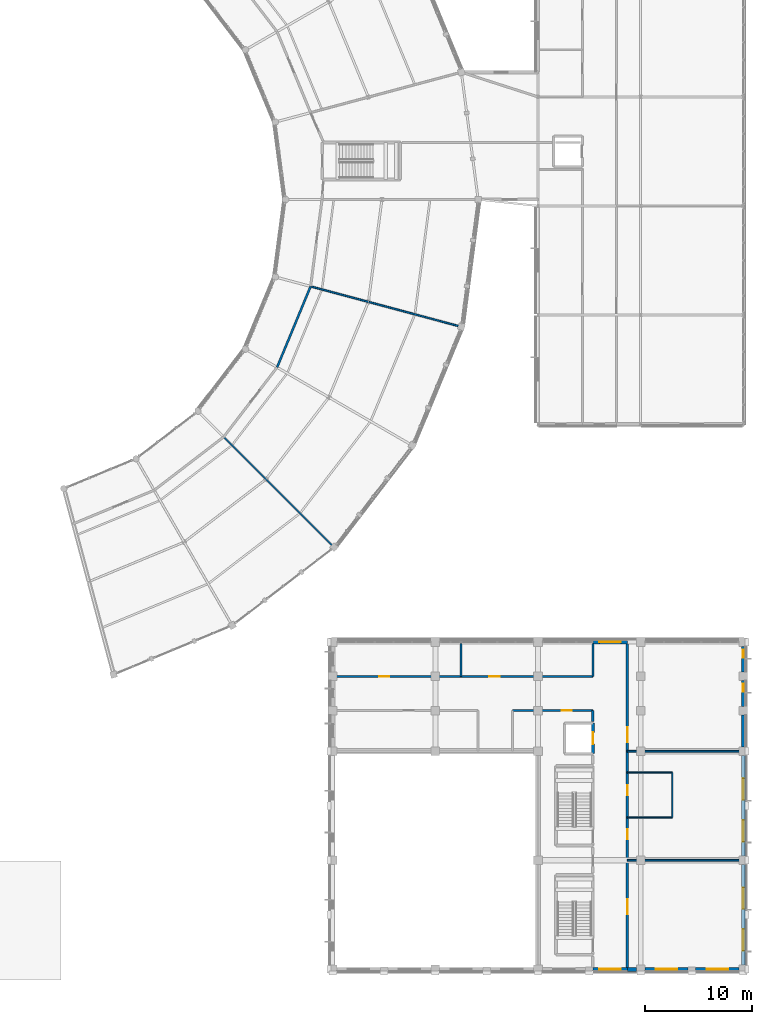
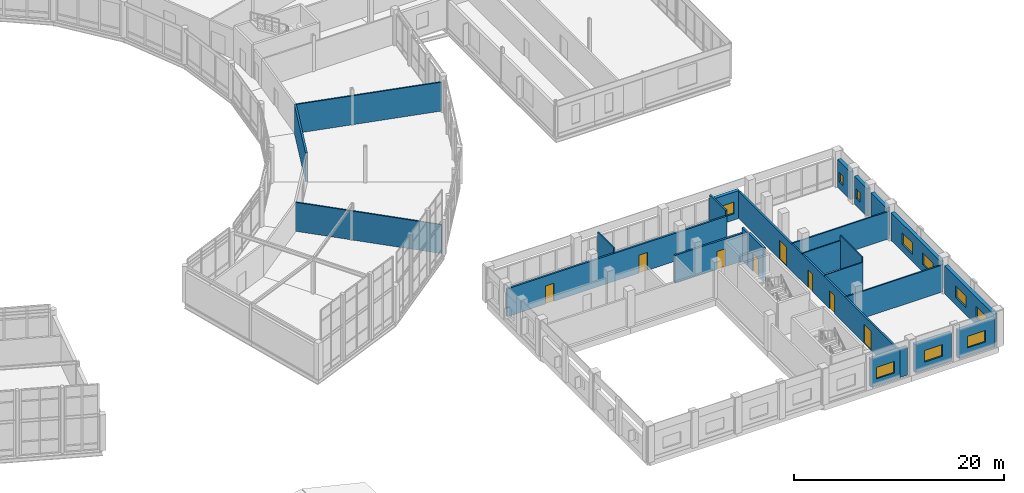
# One storey, part 147 of 170: 25 walls, 10 windows, 8 doors, 18 openings.
"""IFC4 building model written with IfcOpenShell, lengths in metres."""

from ifc_helpers import new_model, si_unit, direction, frame, frame_2d, origin, place, context, subcontext, project, spatial, rectangle, extrude, material, layer, layer_set, type_object, element, fill, save


model = new_model("IFC4")

# Units and contexts
model_context = context("Model", 3, precision=1e-05, world=origin(), true_north=direction((0.0, 1.0)))
body_context = subcontext(model_context, "Body", "Model", "MODEL_VIEW")
ifc_project = project(units=[si_unit("LENGTHUNIT", "METRE"), si_unit("AREAUNIT", "SQUARE_METRE"), si_unit("VOLUMEUNIT", "CUBIC_METRE"), si_unit("PLANEANGLEUNIT", "RADIAN"), si_unit("MASSUNIT", "GRAM", prefix="KILO")], contexts=[model_context])

# Site, building, storey
site_placement = place(None, origin())
site = spatial("IfcSite", under=ifc_project, at=site_placement, CompositionType="ELEMENT")
building_placement = place(site_placement, origin())
building = spatial("IfcBuilding", under=site, at=building_placement, Name="Vondelvale Polytechnic", CompositionType="ELEMENT")
storey_placement = place(building_placement, frame((0.0, 0.0, 5.39990234375)))
storey = spatial("IfcBuildingStorey", under=building, at=storey_placement, Name="L01", CompositionType="ELEMENT", Elevation=5.39990234375)

# Wall, opening, window
ifc_material_1 = material(Name="Amsterdam School iron-spot clinker clay brickwork", Category="masonry")
ifc_layer_1 = layer(ifc_material_1, 0.3798828125)
ifc_layer_set_1 = layer_set([ifc_layer_1], Name="WL-BRICK-380")
wall_type_1 = type_object("IfcWallType", Name="WL-BRICK-380", PredefinedType="SOLIDWALL", material=ifc_layer_set_1)
wall_1_placement = place(storey_placement, frame((161.949951171875, 0.0, 0.0), z_axis=(0.0, 0.0, 1.0), x_axis=(-1.0, 0.0, 0.0)))
wall_1 = element("IfcWall", 1, at=wall_1_placement, inside=storey, type_object=wall_type_1, Name="L01 exterior masonry facade wall", PredefinedType="SOLIDWALL", context=body_context, shape_type="SweptSolid", body=[
    extrude(rectangle(XDim=3.198974609375, YDim=0.3798828125, at=frame_2d((1.599609375, 0.0))), origin(), (0.0, 0.0, 1.0), 3.25),
])
opening_1_placement = place(wall_1_placement, frame((0.599609375, 0.0, 0.75)))
opening_1 = element("IfcOpeningElement", 2, at=opening_1_placement, cuts=wall_1, Name="Opening WN-0352", PredefinedType="OPENING", context=body_context, shape_type="SweptSolid", body=[
    extrude(rectangle(XDim=2.0, YDim=1.35009765625, at=frame_2d((1.0, 0.675048828125))), frame((0.0, 0.199951171875, 0.0), z_axis=(0.0, -1.0, 0.0), x_axis=(1.0, 0.0, 0.0)), (0.0, 0.0, 1.0), 0.39990234375),
])
ifc_material_2 = material(Name="Double-glazed low-E insulated architectural glass", Category="glass")
window_type_1 = type_object("IfcWindowType", Name="WN-RIB-2000x1350", PartitioningType="SINGLE_PANEL", PredefinedType="WINDOW", material=ifc_material_2)
window_1_placement = place(opening_1_placement, origin())
window_1 = element("IfcWindow", 3, at=window_1_placement, inside=storey, type_object=window_type_1, Name="L01 double-glazed architectural window WN-0352", OverallHeight=1.35009765625, OverallWidth=2.0, PartitioningType="SINGLE_PANEL", PredefinedType="WINDOW", context=body_context, shape_type="SweptSolid", body=[
    extrude(rectangle(XDim=2.0, YDim=1.35009765625, at=frame_2d((1.0, 0.675048828125))), frame((0.0, 0.030029296875, 0.0), z_axis=(0.0, -1.0, 0.0), x_axis=(1.0, 0.0, 0.0)), (0.0, 0.0, 1.0), 0.06005859375),
])
fill(opening_1, window_1)

# Wall
wall_2_placement = place(storey_placement, frame((162.799072265625, 0.0, 0.0), z_axis=(0.0, 0.0, 1.0), x_axis=(-1.0, 0.0, 0.0)))
element("IfcWall", 4, at=wall_2_placement, inside=storey, type_object=wall_type_1, Name="L01 exterior masonry facade wall", PredefinedType="SOLIDWALL", context=body_context, shape_type="SweptSolid", body=[
    extrude(rectangle(XDim=0.84912109375, YDim=0.3798828125, at=frame_2d((0.424560546875, 0.0))), origin(), (0.0, 0.0, 1.0), 3.25),
])

# Wall, opening, window
wall_3_placement = place(storey_placement, frame((167.64892578125, 0.0, 0.0), z_axis=(0.0, 0.0, 1.0), x_axis=(-1.0, 0.0, 0.0)))
wall_3 = element("IfcWall", 5, at=wall_3_placement, inside=storey, type_object=wall_type_1, Name="L01 exterior masonry facade wall", PredefinedType="SOLIDWALL", context=body_context, shape_type="SweptSolid", body=[
    extrude(rectangle(XDim=4.0478515625, YDim=0.3798828125, at=frame_2d((2.02392578125, 0.0))), origin(), (0.0, 0.0, 1.0), 3.25),
])
opening_2_placement = place(wall_3_placement, frame((1.02392578125, 0.0, 0.85009765625)))
opening_2 = element("IfcOpeningElement", 6, at=opening_2_placement, cuts=wall_3, Name="Opening WN-0353", PredefinedType="OPENING", context=body_context, shape_type="SweptSolid", body=[
    extrude(rectangle(XDim=2.0, YDim=1.35009765625, at=frame_2d((1.0, 0.675048828125))), frame((0.0, 0.199951171875, 0.0), z_axis=(0.0, -1.0, 0.0), x_axis=(1.0, 0.0, 0.0)), (0.0, 0.0, 1.0), 0.39990234375),
])
window_2_placement = place(opening_2_placement, origin())
window_2 = element("IfcWindow", 7, at=window_2_placement, inside=storey, type_object=window_type_1, Name="L01 double-glazed architectural window WN-0353", OverallHeight=1.35009765625, OverallWidth=2.0, PartitioningType="SINGLE_PANEL", PredefinedType="WINDOW", context=body_context, shape_type="SweptSolid", body=[
    extrude(rectangle(XDim=2.0, YDim=1.35009765625, at=frame_2d((1.0, 0.675048828125))), frame((0.0, 0.030029296875, 0.0), z_axis=(0.0, -1.0, 0.0), x_axis=(1.0, 0.0, 0.0)), (0.0, 0.0, 1.0), 0.06005859375),
])
fill(opening_2, window_2)

wall_4_placement = place(storey_placement, frame((172.39892578125, 0.0, 0.0), z_axis=(0.0, 0.0, 1.0), x_axis=(-1.0, 0.0, 0.0)))
wall_4 = element("IfcWall", 8, at=wall_4_placement, inside=storey, type_object=wall_type_1, Name="L01 exterior masonry facade wall", PredefinedType="SOLIDWALL", context=body_context, shape_type="SweptSolid", body=[
    extrude(rectangle(XDim=4.0478515625, YDim=0.3798828125, at=frame_2d((2.02392578125, 0.0))), origin(), (0.0, 0.0, 1.0), 3.25),
])
opening_3_placement = place(wall_4_placement, frame((1.02392578125, 0.0, 0.85009765625)))
opening_3 = element("IfcOpeningElement", 9, at=opening_3_placement, cuts=wall_4, Name="Opening WN-0354", PredefinedType="OPENING", context=body_context, shape_type="SweptSolid", body=[
    extrude(rectangle(XDim=2.0, YDim=1.35009765625, at=frame_2d((1.0, 0.675048828125))), frame((0.0, 0.199951171875, 0.0), z_axis=(0.0, -1.0, 0.0), x_axis=(1.0, 0.0, 0.0)), (0.0, 0.0, 1.0), 0.39990234375),
])
window_3_placement = place(opening_3_placement, origin())
window_3 = element("IfcWindow", 10, at=window_3_placement, inside=storey, type_object=window_type_1, Name="L01 double-glazed architectural window WN-0354", OverallHeight=1.35009765625, OverallWidth=2.0, PartitioningType="SINGLE_PANEL", PredefinedType="WINDOW", context=body_context, shape_type="SweptSolid", body=[
    extrude(rectangle(XDim=2.0, YDim=1.35009765625, at=frame_2d((1.0, 0.675048828125))), frame((0.0, 0.030029296875, 0.0), z_axis=(0.0, -1.0, 0.0), x_axis=(1.0, 0.0, 0.0)), (0.0, 0.0, 1.0), 0.06005859375),
])
fill(opening_3, window_3)

# Wall, openings, windows
wall_5_placement = place(storey_placement, frame((172.800048828125, 9.799072265625, 0.0), z_axis=(0.0, 0.0, 1.0), x_axis=(0.0, -1.0, 0.0)))
wall_5 = element("IfcWall", 11, at=wall_5_placement, inside=storey, type_object=wall_type_1, Name="L01 exterior masonry facade wall", PredefinedType="SOLIDWALL", context=body_context, shape_type="SweptSolid", body=[
    extrude(rectangle(XDim=9.398193359375, YDim=0.3798828125, at=frame_2d((4.69921875, 0.0))), origin(), (0.0, 0.0, 1.0), 3.25),
])
opening_4_placement = place(wall_5_placement, frame((6.048095703125, 0.0, 0.85009765625)))
opening_4 = element("IfcOpeningElement", 12, at=opening_4_placement, cuts=wall_5, Name="Opening WN-0362", PredefinedType="OPENING", context=body_context, shape_type="SweptSolid", body=[
    extrude(rectangle(XDim=2.0, YDim=1.35009765625, at=frame_2d((1.0, 0.675048828125))), frame((0.0, 0.199951171875, 0.0), z_axis=(0.0, -1.0, 0.0), x_axis=(1.0, 0.0, 0.0)), (0.0, 0.0, 1.0), 0.39990234375),
])
opening_5_placement = place(wall_5_placement, frame((2.14794921875, 0.0, 0.85009765625)))
opening_5 = element("IfcOpeningElement", 13, at=opening_5_placement, cuts=wall_5, Name="Opening WN-0363", PredefinedType="OPENING", context=body_context, shape_type="SweptSolid", body=[
    extrude(rectangle(XDim=2.0, YDim=1.35009765625, at=frame_2d((1.0, 0.675048828125))), frame((0.0, 0.199951171875, 0.0), z_axis=(0.0, -1.0, 0.0), x_axis=(1.0, 0.0, 0.0)), (0.0, 0.0, 1.0), 0.39990234375),
])
window_4_placement = place(opening_4_placement, origin())
window_4 = element("IfcWindow", 14, at=window_4_placement, inside=storey, type_object=window_type_1, Name="L01 double-glazed architectural window WN-0362", OverallHeight=1.35009765625, OverallWidth=2.0, PartitioningType="SINGLE_PANEL", PredefinedType="WINDOW", context=body_context, shape_type="SweptSolid", body=[
    extrude(rectangle(XDim=2.0, YDim=1.35009765625, at=frame_2d((1.0, 0.675048828125))), frame((0.0, 0.030029296875, 0.0), z_axis=(0.0, -1.0, 0.0), x_axis=(1.0, 0.0, 0.0)), (0.0, 0.0, 1.0), 0.06005859375),
])
fill(opening_4, window_4)
window_5_placement = place(opening_5_placement, origin())
window_5 = element("IfcWindow", 15, at=window_5_placement, inside=storey, type_object=window_type_1, Name="L01 double-glazed architectural window WN-0363", OverallHeight=1.35009765625, OverallWidth=2.0, PartitioningType="SINGLE_PANEL", PredefinedType="WINDOW", context=body_context, shape_type="SweptSolid", body=[
    extrude(rectangle(XDim=2.0, YDim=1.35009765625, at=frame_2d((1.0, 0.675048828125))), frame((0.0, 0.030029296875, 0.0), z_axis=(0.0, -1.0, 0.0), x_axis=(1.0, 0.0, 0.0)), (0.0, 0.0, 1.0), 0.06005859375),
])
fill(opening_5, window_5)

wall_6_placement = place(storey_placement, frame((172.800048828125, 19.9990234375, 0.0), z_axis=(0.0, 0.0, 1.0), x_axis=(0.0, -1.0, 0.0)))
wall_6 = element("IfcWall", 16, at=wall_6_placement, inside=storey, type_object=wall_type_1, Name="L01 exterior masonry facade wall", PredefinedType="SOLIDWALL", context=body_context, shape_type="SweptSolid", body=[
    extrude(rectangle(XDim=9.39794921875, YDim=0.3798828125, at=frame_2d((4.698974609375, 0.0))), origin(), (0.0, 0.0, 1.0), 3.25),
])
opening_6_placement = place(wall_6_placement, frame((6.048095703125, 0.0, 0.85009765625)))
opening_6 = element("IfcOpeningElement", 17, at=opening_6_placement, cuts=wall_6, Name="Opening WN-0364", PredefinedType="OPENING", context=body_context, shape_type="SweptSolid", body=[
    extrude(rectangle(XDim=2.0, YDim=1.35009765625, at=frame_2d((1.0, 0.675048828125))), frame((0.0, 0.199951171875, 0.0), z_axis=(0.0, -1.0, 0.0), x_axis=(1.0, 0.0, 0.0)), (0.0, 0.0, 1.0), 0.39990234375),
])
opening_7_placement = place(wall_6_placement, frame((2.14794921875, 0.0, 0.85009765625)))
opening_7 = element("IfcOpeningElement", 18, at=opening_7_placement, cuts=wall_6, Name="Opening WN-0365", PredefinedType="OPENING", context=body_context, shape_type="SweptSolid", body=[
    extrude(rectangle(XDim=2.0, YDim=1.35009765625, at=frame_2d((1.0, 0.675048828125))), frame((0.0, 0.199951171875, 0.0), z_axis=(0.0, -1.0, 0.0), x_axis=(1.0, 0.0, 0.0)), (0.0, 0.0, 1.0), 0.39990234375),
])
window_6_placement = place(opening_6_placement, origin())
window_6 = element("IfcWindow", 19, at=window_6_placement, inside=storey, type_object=window_type_1, Name="L01 double-glazed architectural window WN-0364", OverallHeight=1.35009765625, OverallWidth=2.0, PartitioningType="SINGLE_PANEL", PredefinedType="WINDOW", context=body_context, shape_type="SweptSolid", body=[
    extrude(rectangle(XDim=2.0, YDim=1.35009765625, at=frame_2d((1.0, 0.675048828125))), frame((0.0, 0.030029296875, 0.0), z_axis=(0.0, -1.0, 0.0), x_axis=(1.0, 0.0, 0.0)), (0.0, 0.0, 1.0), 0.06005859375),
])
fill(opening_6, window_6)
window_7_placement = place(opening_7_placement, origin())
window_7 = element("IfcWindow", 20, at=window_7_placement, inside=storey, type_object=window_type_1, Name="L01 double-glazed architectural window WN-0365", OverallHeight=1.35009765625, OverallWidth=2.0, PartitioningType="SINGLE_PANEL", PredefinedType="WINDOW", context=body_context, shape_type="SweptSolid", body=[
    extrude(rectangle(XDim=2.0, YDim=1.35009765625, at=frame_2d((1.0, 0.675048828125))), frame((0.0, 0.030029296875, 0.0), z_axis=(0.0, -1.0, 0.0), x_axis=(1.0, 0.0, 0.0)), (0.0, 0.0, 1.0), 0.06005859375),
])
fill(opening_7, window_7)

# Wall, opening, window
wall_7_placement = place(storey_placement, frame((172.800048828125, 30.198974609375, 0.0), z_axis=(0.0, 0.0, 1.0), x_axis=(0.0, -1.0, 0.0)))
wall_7 = element("IfcWall", 21, at=wall_7_placement, inside=storey, type_object=wall_type_1, Name="L01 exterior masonry facade wall", PredefinedType="SOLIDWALL", context=body_context, shape_type="SweptSolid", body=[
    extrude(rectangle(XDim=2.39794921875, YDim=0.3798828125, at=frame_2d((1.198974609375, 0.0))), origin(), (0.0, 0.0, 1.0), 3.25),
])
opening_8_placement = place(wall_7_placement, frame((0.298095703125, 0.0, 0.85009765625)))
opening_8 = element("IfcOpeningElement", 22, at=opening_8_placement, cuts=wall_7, Name="Opening WN-0366", PredefinedType="OPENING", context=body_context, shape_type="SweptSolid", body=[
    extrude(rectangle(XDim=0.75, YDim=1.10009765625, at=frame_2d((0.375, 0.550048828125))), frame((0.0, 0.199951171875, 0.0), z_axis=(0.0, -1.0, 0.0), x_axis=(1.0, 0.0, 0.0)), (0.0, 0.0, 1.0), 0.39990234375),
])
window_type_2 = type_object("IfcWindowType", Name="WN-WC-0750x1100", PartitioningType="SINGLE_PANEL", PredefinedType="WINDOW", material=ifc_material_2)
window_8_placement = place(opening_8_placement, origin())
window_8 = element("IfcWindow", 23, at=window_8_placement, inside=storey, type_object=window_type_2, Name="L01 double-glazed architectural window WN-0366", OverallHeight=1.10009765625, OverallWidth=0.75, PartitioningType="SINGLE_PANEL", PredefinedType="WINDOW", context=body_context, shape_type="SweptSolid", body=[
    extrude(rectangle(XDim=0.75, YDim=1.10009765625, at=frame_2d((0.375, 0.550048828125))), frame((0.0, 0.030029296875, 0.0), z_axis=(0.0, -1.0, 0.0), x_axis=(1.0, 0.0, 0.0)), (0.0, 0.0, 1.0), 0.06005859375),
])
fill(opening_8, window_8)

wall_8_placement = place(storey_placement, frame((172.800048828125, 26.9990234375, 0.0), z_axis=(0.0, 0.0, 1.0), x_axis=(0.0, -1.0, 0.0)))
wall_8 = element("IfcWall", 24, at=wall_8_placement, inside=storey, type_object=wall_type_1, Name="L01 exterior masonry facade wall", PredefinedType="SOLIDWALL", context=body_context, shape_type="SweptSolid", body=[
    extrude(rectangle(XDim=2.39794921875, YDim=0.3798828125, at=frame_2d((1.198974609375, 0.0))), origin(), (0.0, 0.0, 1.0), 3.25),
])
opening_9_placement = place(wall_8_placement, frame((0.298095703125, 0.0, 0.85009765625)))
opening_9 = element("IfcOpeningElement", 25, at=opening_9_placement, cuts=wall_8, Name="Opening WN-0367", PredefinedType="OPENING", context=body_context, shape_type="SweptSolid", body=[
    extrude(rectangle(XDim=0.75, YDim=1.10009765625, at=frame_2d((0.375, 0.550048828125))), frame((0.0, 0.199951171875, 0.0), z_axis=(0.0, -1.0, 0.0), x_axis=(1.0, 0.0, 0.0)), (0.0, 0.0, 1.0), 0.39990234375),
])
window_9_placement = place(opening_9_placement, origin())
window_9 = element("IfcWindow", 26, at=window_9_placement, inside=storey, type_object=window_type_2, Name="L01 double-glazed architectural window WN-0367", OverallHeight=1.10009765625, OverallWidth=0.75, PartitioningType="SINGLE_PANEL", PredefinedType="WINDOW", context=body_context, shape_type="SweptSolid", body=[
    extrude(rectangle(XDim=0.75, YDim=1.10009765625, at=frame_2d((0.375, 0.550048828125))), frame((0.0, 0.030029296875, 0.0), z_axis=(0.0, -1.0, 0.0), x_axis=(1.0, 0.0, 0.0)), (0.0, 0.0, 1.0), 0.06005859375),
])
fill(opening_9, window_9)

# Wall
wall_9_placement = place(storey_placement, frame((172.800048828125, 23.799072265625, 0.0), z_axis=(0.0, 0.0, 1.0), x_axis=(0.0, -1.0, 0.0)))
element("IfcWall", 27, at=wall_9_placement, inside=storey, type_object=wall_type_1, Name="L01 exterior masonry facade wall", PredefinedType="SOLIDWALL", context=body_context, shape_type="SweptSolid", body=[
    extrude(rectangle(XDim=2.998046875, YDim=0.3798828125, at=frame_2d((1.4990234375, 0.0))), origin(), (0.0, 0.0, 1.0), 3.25),
])

# Wall, opening, window
wall_10_placement = place(storey_placement, frame((158.75, 30.60009765625, 0.0), z_axis=(0.0, 0.0, 1.0), x_axis=(1.0, 0.0, 0.0)))
wall_10 = element("IfcWall", 28, at=wall_10_placement, inside=storey, type_object=wall_type_1, Name="L01 exterior masonry facade wall", PredefinedType="SOLIDWALL", context=body_context, shape_type="SweptSolid", body=[
    extrude(rectangle(XDim=3.199951171875, YDim=0.3798828125, at=frame_2d((1.60009765625, 0.0))), origin(), (0.0, 0.0, 1.0), 3.25),
])
opening_10_placement = place(wall_10_placement, frame((0.60009765625, 0.0, 0.75)))
opening_10 = element("IfcOpeningElement", 29, at=opening_10_placement, cuts=wall_10, Name="Opening WN-0368", PredefinedType="OPENING", context=body_context, shape_type="SweptSolid", body=[
    extrude(rectangle(XDim=2.0, YDim=1.35009765625, at=frame_2d((1.0, 0.675048828125))), frame((0.0, 0.199951171875, 0.0), z_axis=(0.0, -1.0, 0.0), x_axis=(1.0, 0.0, 0.0)), (0.0, 0.0, 1.0), 0.39990234375),
])
window_10_placement = place(opening_10_placement, origin())
window_10 = element("IfcWindow", 30, at=window_10_placement, inside=storey, type_object=window_type_1, Name="L01 double-glazed architectural window WN-0368", OverallHeight=1.35009765625, OverallWidth=2.0, PartitioningType="SINGLE_PANEL", PredefinedType="WINDOW", context=body_context, shape_type="SweptSolid", body=[
    extrude(rectangle(XDim=2.0, YDim=1.35009765625, at=frame_2d((1.0, 0.675048828125))), frame((0.0, 0.030029296875, 0.0), z_axis=(0.0, -1.0, 0.0), x_axis=(1.0, 0.0, 0.0)), (0.0, 0.0, 1.0), 0.06005859375),
])
fill(opening_10, window_10)

# Wall, opening, door
ifc_material_3 = material(Name="Fire-rated double-layer plasterboard stud partition")
ifc_layer_2 = layer(ifc_material_3, 0.199951171875)
ifc_layer_set_2 = layer_set([ifc_layer_2], Name="WL-CORR-200")
wall_type_2 = type_object("IfcWallType", Name="WL-CORR-200", PredefinedType="PARTITIONING", material=ifc_layer_set_2)
wall_11_placement = place(storey_placement, frame((151.199951171875, 24.199951171875, 0.0), z_axis=(0.0, 0.0, 1.0), x_axis=(1.0, 0.0, 0.0)))
wall_11 = element("IfcWall", 31, at=wall_11_placement, inside=storey, type_object=wall_type_2, Name="L01 interior acoustic partition", PredefinedType="PARTITIONING", context=body_context, shape_type="SweptSolid", body=[
    extrude(rectangle(XDim=7.550048828125, YDim=0.199951171875, at=frame_2d((3.77490234375, 0.0))), origin(), (0.0, 0.0, 1.0), 3.25),
])
opening_11_placement = place(wall_11_placement, frame((4.60009765625, 0.0, 0.0)))
opening_11 = element("IfcOpeningElement", 32, at=opening_11_placement, cuts=wall_11, Name="Opening ID-0235", PredefinedType="OPENING", context=body_context, shape_type="SweptSolid", body=[
    extrude(rectangle(XDim=0.949951171875, YDim=2.10009765625, at=frame_2d((0.47509765625, 1.050048828125))), frame((0.0, 0.10986328125, 0.0), z_axis=(0.0, -1.0, 0.0), x_axis=(1.0, 0.0, 0.0)), (0.0, 0.0, 1.0), 0.219970703125),
])
ifc_material_4 = material(Name="Fire-rated solid Tasmanian oak joinery")
door_type_1 = type_object("IfcDoorType", Name="DR-INT-0950x2100", OperationType="SINGLE_SWING_LEFT", PredefinedType="DOOR", material=ifc_material_4)
door_1_placement = place(opening_11_placement, origin())
door_1 = element("IfcDoor", 33, at=door_1_placement, inside=storey, type_object=door_type_1, Name="L01 interior room door ID-0235", OperationType="SINGLE_SWING_LEFT", OverallHeight=2.10009765625, OverallWidth=0.949951171875, PredefinedType="DOOR", context=body_context, shape_type="SweptSolid", body=[
    extrude(rectangle(XDim=0.949951171875, YDim=2.10009765625, at=frame_2d((0.47509765625, 1.050048828125))), frame((0.0, 0.02490234375, 0.0), z_axis=(0.0, -1.0, 0.0), x_axis=(1.0, 0.0, 0.0)), (0.0, 0.0, 1.0), 0.050048828125),
])
fill(opening_11, door_1)

# Wall
wall_12_placement = place(storey_placement, frame((158.72509765625, 23.18994140625, 0.0), z_axis=(0.0, 0.0, 1.0), x_axis=(0.0, 1.0, 0.0)))
element("IfcWall", 34, at=wall_12_placement, inside=storey, type_object=wall_type_2, Name="L01 interior acoustic partition", PredefinedType="PARTITIONING", context=body_context, shape_type="SweptSolid", body=[
    extrude(rectangle(XDim=1.010009765625, YDim=0.199951171875, at=frame_2d((0.5048828125, 0.0))), origin(), (0.0, 0.0, 1.0), 3.85009765625),
])

# Wall, openings, doors
wall_13_placement = place(storey_placement, frame((134.550048828125, 27.39990234375, 0.0), z_axis=(0.0, 0.0, 1.0), x_axis=(1.0, 0.0, 0.0)))
wall_13 = element("IfcWall", 35, at=wall_13_placement, inside=storey, type_object=wall_type_2, Name="L01 interior acoustic partition", PredefinedType="PARTITIONING", context=body_context, shape_type="SweptSolid", body=[
    extrude(rectangle(XDim=24.199951171875, YDim=0.199951171875, at=frame_2d((12.10009765625, 0.0))), origin(), (0.0, 0.0, 1.0), 3.25),
])
opening_12_placement = place(wall_13_placement, frame((4.199951171875, 0.0, 0.0)))
opening_12 = element("IfcOpeningElement", 36, at=opening_12_placement, cuts=wall_13, Name="Opening ID-0237", PredefinedType="OPENING", context=body_context, shape_type="SweptSolid", body=[
    extrude(rectangle(XDim=0.949951171875, YDim=2.10009765625, at=frame_2d((0.47509765625, 1.050048828125))), frame((0.0, 0.10986328125, 0.0), z_axis=(0.0, -1.0, 0.0), x_axis=(1.0, 0.0, 0.0)), (0.0, 0.0, 1.0), 0.219970703125),
])
opening_13_placement = place(wall_13_placement, frame((14.5, 0.0, 0.0)))
opening_13 = element("IfcOpeningElement", 37, at=opening_13_placement, cuts=wall_13, Name="Opening ID-0238", PredefinedType="OPENING", context=body_context, shape_type="SweptSolid", body=[
    extrude(rectangle(XDim=0.949951171875, YDim=2.10009765625, at=frame_2d((0.47509765625, 1.050048828125))), frame((0.0, 0.10986328125, 0.0), z_axis=(0.0, -1.0, 0.0), x_axis=(1.0, 0.0, 0.0)), (0.0, 0.0, 1.0), 0.219970703125),
])
door_2_placement = place(opening_12_placement, origin())
door_2 = element("IfcDoor", 38, at=door_2_placement, inside=storey, type_object=door_type_1, Name="L01 interior room door ID-0237", OperationType="SINGLE_SWING_LEFT", OverallHeight=2.10009765625, OverallWidth=0.949951171875, PredefinedType="DOOR", context=body_context, shape_type="SweptSolid", body=[
    extrude(rectangle(XDim=0.949951171875, YDim=2.10009765625, at=frame_2d((0.47509765625, 1.050048828125))), frame((0.0, 0.02490234375, 0.0), z_axis=(0.0, -1.0, 0.0), x_axis=(1.0, 0.0, 0.0)), (0.0, 0.0, 1.0), 0.050048828125),
])
fill(opening_12, door_2)
door_3_placement = place(opening_13_placement, origin())
door_3 = element("IfcDoor", 39, at=door_3_placement, inside=storey, type_object=door_type_1, Name="L01 interior room door ID-0238", OperationType="SINGLE_SWING_RIGHT", OverallHeight=2.10009765625, OverallWidth=0.949951171875, PredefinedType="DOOR", context=body_context, shape_type="SweptSolid", body=[
    extrude(rectangle(XDim=0.949951171875, YDim=2.10009765625, at=frame_2d((0.47509765625, 1.050048828125))), frame((0.0, 0.02490234375, 0.0), z_axis=(0.0, -1.0, 0.0), x_axis=(1.0, 0.0, 0.0)), (0.0, 0.0, 1.0), 0.050048828125),
])
fill(opening_13, door_3)

# Wall
wall_14_placement = place(storey_placement, frame((158.75, 27.39990234375, 0.0), z_axis=(0.0, 0.0, 1.0), x_axis=(0.0, 1.0, 0.0)))
element("IfcWall", 40, at=wall_14_placement, inside=storey, type_object=wall_type_2, Name="L01 interior acoustic partition", PredefinedType="PARTITIONING", context=body_context, shape_type="SweptSolid", body=[
    extrude(rectangle(XDim=3.050048828125, YDim=0.199951171875, at=frame_2d((1.52490234375, 0.0))), origin(), (0.0, 0.0, 1.0), 3.85009765625),
])

# Wall, openings, doors
wall_15_placement = place(storey_placement, frame((161.949951171875, 0.14990234375, 0.0), z_axis=(0.0, 0.0, 1.0), x_axis=(0.0, 1.0, 0.0)))
wall_15 = element("IfcWall", 41, at=wall_15_placement, inside=storey, type_object=wall_type_2, Name="L01 interior acoustic partition", PredefinedType="PARTITIONING", context=body_context, shape_type="SweptSolid", body=[
    extrude(rectangle(XDim=30.300048828125, YDim=0.199951171875, at=frame_2d((15.14990234375, 0.0))), origin(), (0.0, 0.0, 1.0), 3.150146484375),
])
opening_14_placement = place(wall_15_placement, frame((5.0, 0.0, 0.0)))
opening_14 = element("IfcOpeningElement", 42, at=opening_14_placement, cuts=wall_15, Name="Opening ID-0239", PredefinedType="OPENING", context=body_context, shape_type="SweptSolid", body=[
    extrude(rectangle(XDim=1.39990234375, YDim=2.199951171875, at=frame_2d((0.699951171875, 1.10009765625))), frame((0.0, 0.10986328125, 0.0), z_axis=(0.0, -1.0, 0.0), x_axis=(1.0, 0.0, 0.0)), (0.0, 0.0, 1.0), 0.219970703125),
])
opening_15_placement = place(wall_15_placement, frame((12.0, 0.0, 0.0)))
opening_15 = element("IfcOpeningElement", 43, at=opening_15_placement, cuts=wall_15, Name="Opening ID-0240", PredefinedType="OPENING", context=body_context, shape_type="SweptSolid", body=[
    extrude(rectangle(XDim=0.949951171875, YDim=2.10009765625, at=frame_2d((0.47509765625, 1.050048828125))), frame((0.0, 0.10986328125, 0.0), z_axis=(0.0, -1.0, 0.0), x_axis=(1.0, 0.0, 0.0)), (0.0, 0.0, 1.0), 0.219970703125),
])
opening_16_placement = place(wall_15_placement, frame((16.14990234375, 0.0, 0.0)))
opening_16 = element("IfcOpeningElement", 44, at=opening_16_placement, cuts=wall_15, Name="Opening ID-0241", PredefinedType="OPENING", context=body_context, shape_type="SweptSolid", body=[
    extrude(rectangle(XDim=0.89990234375, YDim=2.050048828125, at=frame_2d((0.449951171875, 1.02490234375))), frame((0.0, 0.10986328125, 0.0), z_axis=(0.0, -1.0, 0.0), x_axis=(1.0, 0.0, 0.0)), (0.0, 0.0, 1.0), 0.219970703125),
])
opening_17_placement = place(wall_15_placement, frame((21.10009765625, 0.0, 0.0)))
opening_17 = element("IfcOpeningElement", 45, at=opening_17_placement, cuts=wall_15, Name="Opening ID-0242", PredefinedType="OPENING", context=body_context, shape_type="SweptSolid", body=[
    extrude(rectangle(XDim=1.39990234375, YDim=2.199951171875, at=frame_2d((0.699951171875, 1.10009765625))), frame((0.0, 0.10986328125, 0.0), z_axis=(0.0, -1.0, 0.0), x_axis=(1.0, 0.0, 0.0)), (0.0, 0.0, 1.0), 0.219970703125),
])
door_4_placement = place(opening_15_placement, origin())
door_4 = element("IfcDoor", 46, at=door_4_placement, inside=storey, type_object=door_type_1, Name="L01 interior room door ID-0240", OperationType="SINGLE_SWING_RIGHT", OverallHeight=2.10009765625, OverallWidth=0.949951171875, PredefinedType="DOOR", context=body_context, shape_type="SweptSolid", body=[
    extrude(rectangle(XDim=0.949951171875, YDim=2.10009765625, at=frame_2d((0.47509765625, 1.050048828125))), frame((0.0, 0.02490234375, 0.0), z_axis=(0.0, -1.0, 0.0), x_axis=(1.0, 0.0, 0.0)), (0.0, 0.0, 1.0), 0.050048828125),
])
fill(opening_15, door_4)
door_type_2 = type_object("IfcDoorType", Name="DR-LAB-1400x2200", OperationType="DOUBLE_DOOR_SINGLE_SWING", PredefinedType="DOOR", material=ifc_material_4)
door_5_placement = place(opening_14_placement, origin())
door_5 = element("IfcDoor", 47, at=door_5_placement, inside=storey, type_object=door_type_2, Name="L01 interior room door ID-0239", OperationType="DOUBLE_DOOR_SINGLE_SWING", OverallHeight=2.199951171875, OverallWidth=1.39990234375, PredefinedType="DOOR", context=body_context, shape_type="SweptSolid", body=[
    extrude(rectangle(XDim=1.39990234375, YDim=2.199951171875, at=frame_2d((0.699951171875, 1.10009765625))), frame((0.0, 0.02490234375, 0.0), z_axis=(0.0, -1.0, 0.0), x_axis=(1.0, 0.0, 0.0)), (0.0, 0.0, 1.0), 0.050048828125),
])
fill(opening_14, door_5)
door_6_placement = place(opening_17_placement, origin())
door_6 = element("IfcDoor", 48, at=door_6_placement, inside=storey, type_object=door_type_2, Name="L01 interior room door ID-0242", OperationType="DOUBLE_DOOR_SINGLE_SWING", OverallHeight=2.199951171875, OverallWidth=1.39990234375, PredefinedType="DOOR", context=body_context, shape_type="SweptSolid", body=[
    extrude(rectangle(XDim=1.39990234375, YDim=2.199951171875, at=frame_2d((0.699951171875, 1.10009765625))), frame((0.0, 0.02490234375, 0.0), z_axis=(0.0, -1.0, 0.0), x_axis=(1.0, 0.0, 0.0)), (0.0, 0.0, 1.0), 0.050048828125),
])
fill(opening_17, door_6)
door_type_3 = type_object("IfcDoorType", Name="DR-WC-0900x2050", OperationType="SINGLE_SWING_RIGHT", PredefinedType="DOOR", material=ifc_material_4)
door_7_placement = place(opening_16_placement, origin())
door_7 = element("IfcDoor", 49, at=door_7_placement, inside=storey, type_object=door_type_3, Name="L01 interior room door ID-0241", OperationType="SINGLE_SWING_LEFT", OverallHeight=2.050048828125, OverallWidth=0.89990234375, PredefinedType="DOOR", context=body_context, shape_type="SweptSolid", body=[
    extrude(rectangle(XDim=0.89990234375, YDim=2.050048828125, at=frame_2d((0.449951171875, 1.02490234375))), frame((0.0, 0.02490234375, 0.0), z_axis=(0.0, -1.0, 0.0), x_axis=(1.0, 0.0, 0.0)), (0.0, 0.0, 1.0), 0.050048828125),
])
fill(opening_16, door_7)

# Walls
wall_16_placement = place(storey_placement, frame((129.193115234375, 56.300048828125, 0.0), z_axis=(0.0, 0.0, 1.0), x_axis=(0.382696385238, 0.923874167149, 0.0)))
element("IfcWall", 50, at=wall_16_placement, inside=storey, type_object=wall_type_2, Name="L01 interior acoustic partition", PredefinedType="PARTITIONING", context=body_context, shape_type="SweptSolid", body=[
    extrude(rectangle(XDim=8.197021484375, YDim=0.199951171875, at=frame_2d((4.0986328125, 0.0))), origin(), (0.0, 0.0, 1.0), 3.3720703125),
])
ifc_layer_3 = layer(ifc_material_3, 0.1201171875)
ifc_layer_set_3 = layer_set([ifc_layer_3], Name="WL-INT-120")
wall_type_3 = type_object("IfcWallType", Name="WL-INT-120", PredefinedType="PARTITIONING", material=ifc_layer_set_3)
wall_17_placement = place(storey_placement, frame((161.949951171875, 14.199951171875, 0.0), z_axis=(0.0, 0.0, 1.0), x_axis=(1.0, 0.0, 0.0)))
element("IfcWall", 51, at=wall_17_placement, inside=storey, type_object=wall_type_3, Name="L01 interior acoustic partition", PredefinedType="PARTITIONING", context=body_context, shape_type="SweptSolid", body=[
    extrude(rectangle(XDim=4.199951171875, YDim=0.1201171875, at=frame_2d((2.10009765625, 0.0))), origin(), (0.0, 0.0, 1.0), 3.25),
])
wall_18_placement = place(storey_placement, frame((166.14990234375, 14.199951171875, 0.0), z_axis=(0.0, 0.0, 1.0), x_axis=(0.0, 1.0, 0.0)))
element("IfcWall", 52, at=wall_18_placement, inside=storey, type_object=wall_type_3, Name="L01 interior acoustic partition", PredefinedType="PARTITIONING", context=body_context, shape_type="SweptSolid", body=[
    extrude(rectangle(XDim=4.199951171875, YDim=0.1201171875, at=frame_2d((2.10009765625, 0.0))), origin(), (0.0, 0.0, 1.0), 3.85009765625),
])
wall_19_placement = place(storey_placement, frame((161.949951171875, 18.39990234375, 0.0), z_axis=(0.0, 0.0, 1.0), x_axis=(1.0, 0.0, 0.0)))
element("IfcWall", 53, at=wall_19_placement, inside=storey, type_object=wall_type_3, Name="L01 interior acoustic partition", PredefinedType="PARTITIONING", context=body_context, shape_type="SweptSolid", body=[
    extrude(rectangle(XDim=4.199951171875, YDim=0.1201171875, at=frame_2d((2.10009765625, 0.0))), origin(), (0.0, 0.0, 1.0), 3.25),
])
ifc_layer_4 = layer(ifc_material_3, 0.14990234375)
ifc_layer_set_4 = layer_set([ifc_layer_4], Name="WL-INT-150")
wall_type_4 = type_object("IfcWallType", Name="WL-INT-150", PredefinedType="PARTITIONING", material=ifc_layer_set_4)
wall_20_placement = place(storey_placement, frame((146.39990234375, 27.39990234375, 0.0), z_axis=(0.0, 0.0, 1.0), x_axis=(0.0, 1.0, 0.0)))
element("IfcWall", 54, at=wall_20_placement, inside=storey, type_object=wall_type_4, Name="L01 interior acoustic partition", PredefinedType="PARTITIONING", context=body_context, shape_type="SweptSolid", body=[
    extrude(rectangle(XDim=3.050048828125, YDim=0.14990234375, at=frame_2d((1.52490234375, 0.0))), origin(), (0.0, 0.0, 1.0), 3.85009765625),
])
wall_21_placement = place(storey_placement, frame((161.949951171875, 10.199951171875, 0.0), z_axis=(0.0, 0.0, 1.0), x_axis=(1.0, 0.0, 0.0)))
element("IfcWall", 55, at=wall_21_placement, inside=storey, type_object=wall_type_4, Name="L01 interior acoustic partition", PredefinedType="PARTITIONING", context=body_context, shape_type="SweptSolid", body=[
    extrude(rectangle(XDim=10.699951171875, YDim=0.14990234375, at=frame_2d((5.35009765625, 0.0))), origin(), (0.0, 0.0, 1.0), 3.150146484375),
])
wall_22_placement = place(storey_placement, frame((161.949951171875, 20.39990234375, 0.0), z_axis=(0.0, 0.0, 1.0), x_axis=(1.0, 0.0, 0.0)))
element("IfcWall", 56, at=wall_22_placement, inside=storey, type_object=wall_type_4, Name="L01 interior acoustic partition", PredefinedType="PARTITIONING", context=body_context, shape_type="SweptSolid", body=[
    extrude(rectangle(XDim=10.699951171875, YDim=0.14990234375, at=frame_2d((5.35009765625, 0.0))), origin(), (0.0, 0.0, 1.0), 3.2001953125),
])
wall_23_placement = place(storey_placement, frame((124.203125, 49.796875, 0.0), z_axis=(0.0, 0.0, 1.0), x_axis=(0.707106781187, -0.707106781187, 0.0)))
element("IfcWall", 57, at=wall_23_placement, inside=storey, type_object=wall_type_4, Name="L01 interior acoustic partition", PredefinedType="PARTITIONING", context=body_context, shape_type="SweptSolid", body=[
    extrude(rectangle(XDim=14.480224609375, YDim=0.14990234375, at=frame_2d((7.240234375, 0.0))), origin(), (0.0, 0.0, 1.0), 3.3671875),
])
wall_24_placement = place(storey_placement, frame((132.330078125, 63.873046875, 0.0), z_axis=(0.0, 0.0, 1.0), x_axis=(0.965928107853, -0.258810530041, 0.0)))
element("IfcWall", 58, at=wall_24_placement, inside=storey, type_object=wall_type_4, Name="L01 interior acoustic partition", PredefinedType="PARTITIONING", context=body_context, shape_type="SweptSolid", body=[
    extrude(rectangle(XDim=14.47998046875, YDim=0.14990234375, at=frame_2d((7.239990234375, 0.0))), origin(), (0.0, 0.0, 1.0), 3.3671875),
])

# Wall, opening, door
ifc_material_5 = material(Name="Concrete N40 (f'c = 40 MPa)", Category="concrete")
ifc_layer_5 = layer(ifc_material_5, 0.25)
ifc_layer_set_5 = layer_set([ifc_layer_5], Name="WL-SHAFT-250")
wall_type_5 = type_object("IfcWallType", Name="WL-SHAFT-250", PredefinedType="SOLIDWALL", material=ifc_layer_set_5)
wall_25_placement = place(storey_placement, frame((158.75, 20.175048828125, 0.0), z_axis=(0.0, 0.0, 1.0), x_axis=(0.0, 1.0, 0.0)))
wall_25 = element("IfcWall", 59, at=wall_25_placement, inside=storey, type_object=wall_type_5, Name="L01 PL-03 lift shaft wall E", PredefinedType="SOLIDWALL", context=body_context, shape_type="SweptSolid", body=[
    extrude(rectangle(XDim=2.849853515625, YDim=0.25, at=frame_2d((1.4248046875, 0.0))), origin(), (0.0, 0.0, 1.0), 3.920166015625),
])
opening_18_placement = place(wall_25_placement, frame((0.875, 0.0, 0.0)))
opening_18 = element("IfcOpeningElement", 60, at=opening_18_placement, cuts=wall_25, Name="Opening LD-038", PredefinedType="OPENING", context=body_context, shape_type="SweptSolid", body=[
    extrude(rectangle(XDim=1.10009765625, YDim=2.10009765625, at=frame_2d((0.550048828125, 1.050048828125))), frame((0.0, 0.135009765625, 0.0), z_axis=(0.0, -1.0, 0.0), x_axis=(1.0, 0.0, 0.0)), (0.0, 0.0, 1.0), 0.27001953125),
])
ifc_material_6 = material(Name="Brushed architectural stainless and zinc-coated metal")
door_type_4 = type_object("IfcDoorType", Name="DR-LIFT-1100x2100", OperationType="SLIDING_TO_LEFT", PredefinedType="DOOR", material=ifc_material_6)
door_8_placement = place(opening_18_placement, origin())
door_8 = element("IfcDoor", 61, at=door_8_placement, inside=storey, type_object=door_type_4, Name="L01 PL-03 sliding lift landing door", OperationType="SLIDING_TO_LEFT", OverallHeight=2.10009765625, OverallWidth=1.10009765625, PredefinedType="DOOR", context=body_context, shape_type="SweptSolid", body=[
    extrude(rectangle(XDim=1.10009765625, YDim=2.10009765625, at=frame_2d((0.550048828125, 1.050048828125))), frame((0.0, 0.02490234375, 0.0), z_axis=(0.0, -1.0, 0.0), x_axis=(1.0, 0.0, 0.0)), (0.0, 0.0, 1.0), 0.050048828125),
])
fill(opening_18, door_8)

save(model, "model.ifc")
